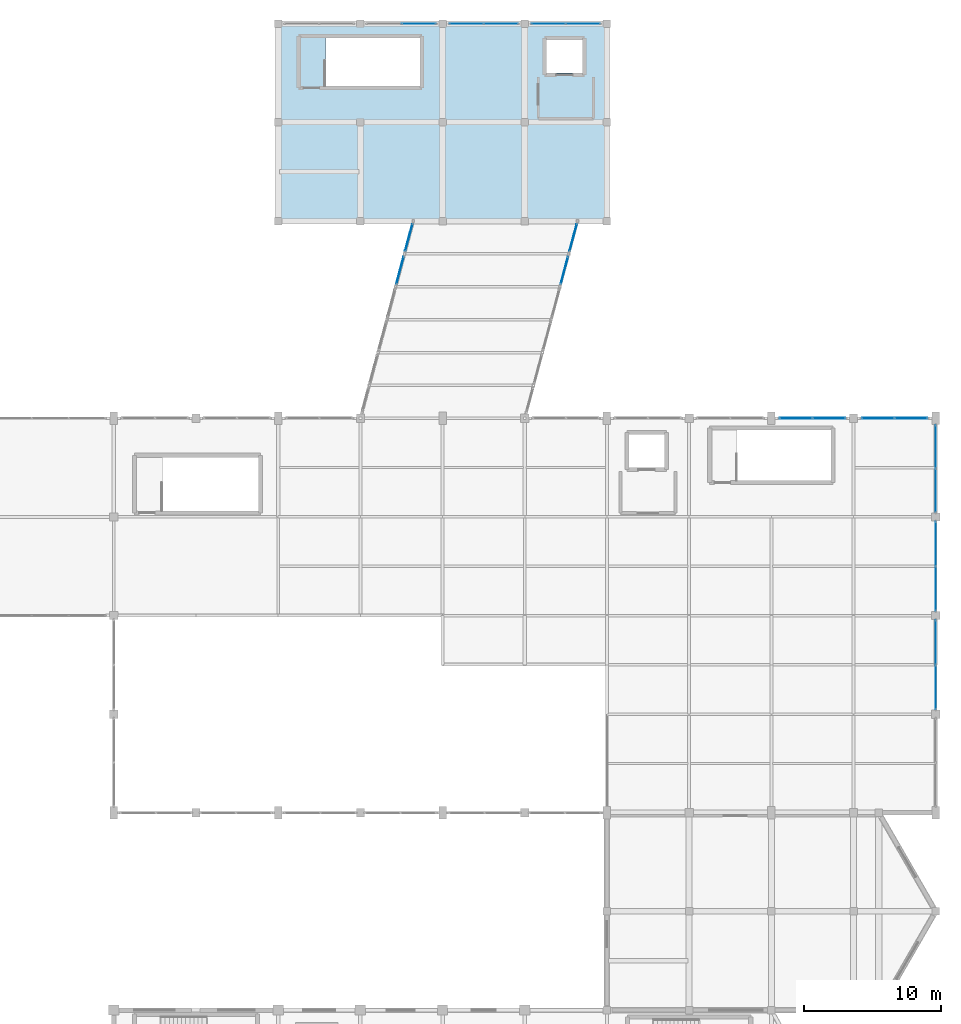
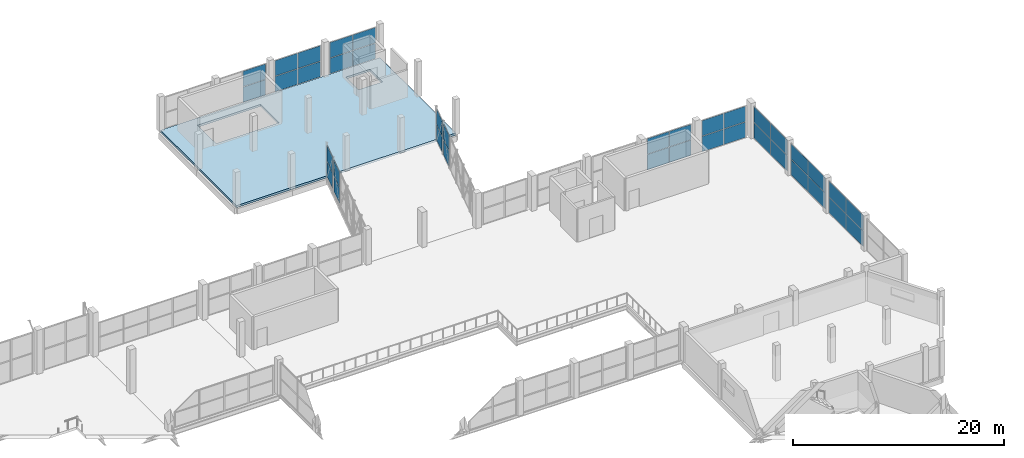
# One storey, part 99 of 127: 38 plates, 1 slab, 12 elements without a shape of their own.
"""IFC4 building model written with IfcOpenShell, lengths in metres."""

import ifcopenshell
import ifcopenshell.guid

model = None  # the IFC model being written
_history = None  # IfcOwnerHistory: only IFC2X3 demands one
_inside = {}  # id of a spatial element -> (the spatial element, [elements in it])
_under = {}  # id of a project, library or spatial element -> (it, [spatial elements below it])
_declared = {}  # id of a project -> (the project, [libraries it declares])
_typed = {}  # id of a type object -> (the type object, [elements of that type])
_made_of = {}  # id of a material, layer set ... -> (it, [elements and type objects made of it])


def new_model(schema):
    """Start an empty IFC model of exactly this schema.

    Asked for "IFC4X3", IfcOpenShell would pick the latest addendum, in which some entities
    have other attributes; the version numbers below select the first issue.
    IFC2X3 requires an IfcOwnerHistory on every rooted entity: one is made here for all.
    """
    global model, _history
    if schema == "IFC4X3":
        model = ifcopenshell.file(schema_version=(4, 3, 0, 0))
    else:
        model = ifcopenshell.file(schema=schema)
    _inside.clear()
    _under.clear()
    _declared.clear()
    _typed.clear()
    _made_of.clear()
    _history = None
    if model.schema == "IFC2X3":
        org = make("IfcOrganization", Name="unknown")
        user = make(
            "IfcPersonAndOrganization",
            ThePerson=make("IfcPerson", FamilyName="unknown"),
            TheOrganization=org,
        )
        app = make(
            "IfcApplication",
            ApplicationDeveloper=org,
            Version="unknown",
            ApplicationFullName="unknown",
            ApplicationIdentifier="unknown",
        )
        _history = make(
            "IfcOwnerHistory",
            OwningUser=user,
            OwningApplication=app,
            ChangeAction="ADDED",
            CreationDate=0,
        )
    return model


def make(cls, **values):
    """One entity of the class cls with the attributes given. An attribute that is None is left unset."""
    return model.create_entity(
        cls, **{name: value for name, value in values.items() if value is not None}
    )


def rooted(cls, **values):
    """An entity with a GlobalId (a new one), such as an element, a storey or a relation."""
    return make(cls, GlobalId=ifcopenshell.guid.new(), OwnerHistory=_history, **values)


def si_unit(unit_type, name, prefix=None):
    """IfcSIUnit, for example si_unit("LENGTHUNIT", "METRE", prefix="MILLI")."""
    return make("IfcSIUnit", UnitType=unit_type, Prefix=prefix, Name=name)


def assignment(units):
    """IfcUnitAssignment: the units of a project."""
    return None if units is None else make("IfcUnitAssignment", Units=units)


def point(xyz):
    """IfcCartesianPoint."""
    return None if xyz is None else make("IfcCartesianPoint", Coordinates=xyz)


def direction(xyz):
    """IfcDirection."""
    return None if xyz is None else make("IfcDirection", DirectionRatios=xyz)


def frame(location, z_axis=None, x_axis=None):
    """IfcAxis2Placement3D, a coordinate frame: its origin and axes. An axis left out is left unset."""
    return make(
        "IfcAxis2Placement3D",
        Location=point(location),
        Axis=direction(z_axis),
        RefDirection=direction(x_axis),
    )


def frame_2d(location, x_axis=None):
    """IfcAxis2Placement2D, a coordinate frame in the plane: its origin and x axis."""
    return make(
        "IfcAxis2Placement2D", Location=point(location), RefDirection=direction(x_axis)
    )


def origin():
    """The frame at (0, 0, 0) with its axes left unset."""
    return frame((0.0, 0.0, 0.0))


def origin_2d():
    """The frame at (0, 0) in the plane with its x axis left unset."""
    return frame_2d((0.0, 0.0))


def place(relative_to, where):
    """IfcLocalPlacement: puts the frame where relative to a parent placement (None: the world)."""
    return make(
        "IfcLocalPlacement", PlacementRelTo=relative_to, RelativePlacement=where
    )


def context(
    kind, dimensions, precision=None, world=None, true_north=None, identifier=None
):
    """IfcGeometricRepresentationContext, for example the 3D "Model" context."""
    return make(
        "IfcGeometricRepresentationContext",
        ContextIdentifier=identifier,
        ContextType=kind,
        CoordinateSpaceDimension=dimensions,
        Precision=precision,
        WorldCoordinateSystem=world,
        TrueNorth=true_north,
    )


def subcontext(parent, identifier, kind, view, scale=None):
    """IfcGeometricRepresentationSubContext, for example "Body" below "Model"."""
    return make(
        "IfcGeometricRepresentationSubContext",
        ContextIdentifier=identifier,
        ContextType=kind,
        ParentContext=parent,
        TargetScale=scale,
        TargetView=view,
    )


def project(units=None, contexts=None):
    """IfcProject with its units and contexts."""
    return rooted(
        "IfcProject",
        Name="project",
        RepresentationContexts=contexts,
        UnitsInContext=assignment(units),
    )


def spatial(cls, under=None, at=None, **own):
    """A site, building, storey or space (cls), placed at a placement, below another one or the project."""
    s = rooted(cls, ObjectPlacement=at, **own)
    if under is not None:
        _under.setdefault(under.id(), (under, []))[1].append(s)
    return s


def polyline(points):
    """IfcPolyline through the points."""
    return make("IfcPolyline", Points=[point(p) for p in points])


def profile(cls, at=None, kind="AREA", **sizes):
    """A parametric profile (cls). Its sizes go by their IFC names, for example OverallWidth=200.0."""
    return make(cls, ProfileType=kind, Position=at, **sizes)


def rectangle(**sizes):
    """IfcRectangleProfileDef."""
    return profile("IfcRectangleProfileDef", **sizes)


def outline(outer, holes=None, kind="AREA"):
    """IfcArbitraryClosedProfileDef: a profile drawn as a closed curve; with holes, ...WithVoids."""
    if holes is None:
        return make("IfcArbitraryClosedProfileDef", ProfileType=kind, OuterCurve=outer)
    return make(
        "IfcArbitraryProfileDefWithVoids",
        ProfileType=kind,
        OuterCurve=outer,
        InnerCurves=holes,
    )


def extrude(swept, where, along, depth):
    """IfcExtrudedAreaSolid: the profile swept, set in the frame where, extruded along a direction by depth."""
    return make(
        "IfcExtrudedAreaSolid",
        SweptArea=swept,
        Position=where,
        ExtrudedDirection=direction(along),
        Depth=depth,
    )


def shape(context_of_items, identifier, shape_type, items):
    """IfcShapeRepresentation: the items that make up one representation, for example the "Body"."""
    return make(
        "IfcShapeRepresentation",
        ContextOfItems=context_of_items,
        RepresentationIdentifier=identifier,
        RepresentationType=shape_type,
        Items=items,
    )


def material(Name=None, Category=None):
    """IfcMaterial."""
    return make("IfcMaterial", Name=Name, Category=Category)


def layer(
    of_material, thickness, ventilated=None, Name=None, Category=None, Priority=None
):
    """IfcMaterialLayer: one layer of a wall or slab, of a material (None: an air gap)."""
    return make(
        "IfcMaterialLayer",
        Material=of_material,
        LayerThickness=thickness,
        IsVentilated=ventilated,
        Name=Name,
        Category=Category,
        Priority=Priority,
    )


def layer_set(layers, Name=None):
    """IfcMaterialLayerSet."""
    return make("IfcMaterialLayerSet", MaterialLayers=layers, LayerSetName=Name)


def made_of(thing, what):
    """Note that an element or type object is made of a material, layer set ...; save() writes the relation."""
    if what is not None:
        _made_of.setdefault(what.id(), (what, []))[1].append(thing)
    return thing


def type_object(cls, material=None, **own):
    """A type object (cls), such as IfcWallType, which elements share."""
    return made_of(rooted(cls, **own), material)


def element(
    cls,
    number,
    at=None,
    inside=None,
    cuts=None,
    type_object=None,
    material=None,
    context=None,
    identifier="Body",
    shape_type=None,
    held_by="IfcProductDefinitionShape",
    body=None,
    shapes=None,
    **own,
):
    """One element of the class cls, such as IfcWall. Its Tag is "e" and its number.

    at: its placement. inside: the storey or other place that contains it. cuts: it is an
    opening in that element (IfcRelVoidsElement). A single representation is given by context,
    identifier, shape_type and body (its items); several are given by shapes. held_by: the class
    of the entity that holds the representations. save() writes the other relations.
    """
    e = rooted(cls, Tag="e%d" % number, ObjectPlacement=at, **own)
    if body is not None:
        shapes = [shape(context, identifier, shape_type, body)]
    if shapes is not None:
        e.Representation = make(held_by, Representations=shapes)
    if inside is not None:
        _inside.setdefault(inside.id(), (inside, []))[1].append(e)
    if cuts is not None:
        rooted(
            "IfcRelVoidsElement", RelatingBuildingElement=cuts, RelatedOpeningElement=e
        )
    if type_object is not None:
        _typed.setdefault(type_object.id(), (type_object, []))[1].append(e)
    return made_of(e, material)


def aggregate(whole, parts):
    """IfcRelAggregates: a whole, such as a stair, and the parts it consists of."""
    return rooted("IfcRelAggregates", RelatingObject=whole, RelatedObjects=parts)


def save(model, path):
    """Write the relations noted so far, then the file.

    IfcRelAggregates (storeys below a building ...), IfcRelContainedInSpatialStructure (elements
    in a storey), IfcRelDefinesByType, IfcRelAssociatesMaterial and IfcRelDeclares: one each for
    every whole, place, type object, material and project.
    """
    for whole, parts in _under.values():
        aggregate(whole, parts)
    for where, things in _inside.values():
        rooted(
            "IfcRelContainedInSpatialStructure",
            RelatedElements=things,
            RelatingStructure=where,
        )
    for kind, things in _typed.values():
        rooted("IfcRelDefinesByType", RelatedObjects=things, RelatingType=kind)
    for what, things in _made_of.values():
        rooted("IfcRelAssociatesMaterial", RelatedObjects=things, RelatingMaterial=what)
    for by, libraries in _declared.values():
        rooted("IfcRelDeclares", RelatingContext=by, RelatedDefinitions=libraries)
    model.write(path)


model = new_model("IFC4")

# Units and contexts
model_context = context("Model", 3, precision=1e-05, world=origin(), true_north=direction((0.0, 1.0)))
body_context = subcontext(model_context, "Body", "Model", "MODEL_VIEW")
ifc_project = project(units=[si_unit("LENGTHUNIT", "METRE"), si_unit("AREAUNIT", "SQUARE_METRE"), si_unit("VOLUMEUNIT", "CUBIC_METRE"), si_unit("PLANEANGLEUNIT", "RADIAN"), si_unit("MASSUNIT", "GRAM", prefix="KILO")], contexts=[model_context])

# Site, building, storey
site_placement = place(None, origin())
site = spatial("IfcSite", under=ifc_project, at=site_placement, CompositionType="ELEMENT")
building_placement = place(site_placement, origin())
building = spatial("IfcBuilding", under=site, at=building_placement, Name="Dunvalen Ferry Terminal", CompositionType="ELEMENT")
storey_placement = place(building_placement, frame((0.0, 0.0, 5.760009765625)))
storey = spatial("IfcBuildingStorey", under=building, at=storey_placement, Name="L01", CompositionType="ELEMENT", Elevation=5.760009765625)

# Curtain wall, plates
ifc_material_1 = material(Name="Anodised marine aluminium and solar-control glazing", Category="aluminium")
ifc_layer_1 = layer(ifc_material_1, 0.219970703125, Name="Anodised marine aluminium and solar-control glazing")
ifc_layer_set_1 = layer_set([ifc_layer_1], Name="Anodised marine aluminium and solar-control glazing")
curtain_wall_type_1 = type_object("IfcCurtainWallType", Name="ENV-CW-SYS-04", PredefinedType="NOTDEFINED", material=ifc_layer_set_1)
curtain_wall_1_placement = place(storey_placement, origin())
curtain_wall_1 = element("IfcCurtainWall", 1, at=curtain_wall_1_placement, inside=storey, type_object=curtain_wall_type_1, Name="L01 Curtain Wall CW-V2E-L01-2", PredefinedType="NOTDEFINED")
ifc_material_2 = material(Name="Low-E solar-control laminated double glazing", Category="glass")
ifc_layer_2 = layer(ifc_material_2, 0.031982421875, Name="Low-E solar-control laminated double glazing")
ifc_layer_set_2 = layer_set([ifc_layer_2], Name="Low-E solar-control laminated double glazing")
plate_type_1 = type_object("IfcPlateType", Name="ENV-CW-PNL-2", PredefinedType="CURTAIN_PANEL", material=ifc_layer_set_2)
plate_1_placement = place(storey_placement, frame((168.0, 66.764892578125, 0.080078125), z_axis=(0.0, 0.0, 1.0), x_axis=(0.0, 1.0, 0.0)))
plate_1 = element("IfcPlate", 2, at=plate_1_placement, type_object=plate_type_1, Name="CW-04 panel 1.1", PredefinedType="CURTAIN_PANEL", context=body_context, shape_type="SweptSolid", body=[
    extrude(rectangle(XDim=3.2099609375, YDim=0.031982421875, at=origin_2d()), origin(), (0.0, 0.0, 1.0), 1.780029296875),
])
plate_2_placement = place(storey_placement, frame((168.0, 66.764892578125, 1.919921875), z_axis=(0.0, 0.0, 1.0), x_axis=(0.0, 1.0, 0.0)))
plate_2 = element("IfcPlate", 3, at=plate_2_placement, type_object=plate_type_1, Name="CW-04 panel 1.2", PredefinedType="CURTAIN_PANEL", context=body_context, shape_type="SweptSolid", body=[
    extrude(rectangle(XDim=3.2099609375, YDim=0.031982421875, at=origin_2d()), origin(), (0.0, 0.0, 1.0), 1.780029296875),
])
plate_3_placement = place(storey_placement, frame((168.0, 70.034912109375, 0.080078125), z_axis=(0.0, 0.0, 1.0), x_axis=(0.0, 1.0, 0.0)))
plate_3 = element("IfcPlate", 4, at=plate_3_placement, type_object=plate_type_1, Name="CW-04 panel 2.1", PredefinedType="CURTAIN_PANEL", context=body_context, shape_type="SweptSolid", body=[
    extrude(rectangle(XDim=3.2099609375, YDim=0.031982421875, at=origin_2d()), origin(), (0.0, 0.0, 1.0), 1.780029296875),
])
plate_4_placement = place(storey_placement, frame((168.0, 70.034912109375, 1.919921875), z_axis=(0.0, 0.0, 1.0), x_axis=(0.0, 1.0, 0.0)))
plate_4 = element("IfcPlate", 5, at=plate_4_placement, type_object=plate_type_1, Name="CW-04 panel 2.2", PredefinedType="CURTAIN_PANEL", context=body_context, shape_type="SweptSolid", body=[
    extrude(rectangle(XDim=3.2099609375, YDim=0.031982421875, at=origin_2d()), origin(), (0.0, 0.0, 1.0), 1.780029296875),
])
aggregate(curtain_wall_1, [plate_1, plate_2, plate_3, plate_4])

curtain_wall_2_placement = place(storey_placement, origin())
curtain_wall_2 = element("IfcCurtainWall", 6, at=curtain_wall_2_placement, inside=storey, type_object=curtain_wall_type_1, Name="L01 Curtain Wall CW-V2E-L01-3", PredefinedType="NOTDEFINED")
plate_5_placement = place(storey_placement, frame((168.0, 73.965087890625, 0.080078125), z_axis=(0.0, 0.0, 1.0), x_axis=(0.0, 1.0, 0.0)))
plate_5 = element("IfcPlate", 7, at=plate_5_placement, type_object=plate_type_1, Name="CW-04 panel 1.1", PredefinedType="CURTAIN_PANEL", context=body_context, shape_type="SweptSolid", body=[
    extrude(rectangle(XDim=3.2099609375, YDim=0.031982421875, at=origin_2d()), origin(), (0.0, 0.0, 1.0), 1.780029296875),
])
plate_6_placement = place(storey_placement, frame((168.0, 73.965087890625, 1.919921875), z_axis=(0.0, 0.0, 1.0), x_axis=(0.0, 1.0, 0.0)))
plate_6 = element("IfcPlate", 8, at=plate_6_placement, type_object=plate_type_1, Name="CW-04 panel 1.2", PredefinedType="CURTAIN_PANEL", context=body_context, shape_type="SweptSolid", body=[
    extrude(rectangle(XDim=3.2099609375, YDim=0.031982421875, at=origin_2d()), origin(), (0.0, 0.0, 1.0), 1.780029296875),
])
plate_7_placement = place(storey_placement, frame((168.0, 77.235107421875, 0.080078125), z_axis=(0.0, 0.0, 1.0), x_axis=(0.0, 1.0, 0.0)))
plate_7 = element("IfcPlate", 9, at=plate_7_placement, type_object=plate_type_1, Name="CW-04 panel 2.1", PredefinedType="CURTAIN_PANEL", context=body_context, shape_type="SweptSolid", body=[
    extrude(rectangle(XDim=3.2099609375, YDim=0.031982421875, at=origin_2d()), origin(), (0.0, 0.0, 1.0), 1.780029296875),
])
plate_8_placement = place(storey_placement, frame((168.0, 77.235107421875, 1.919921875), z_axis=(0.0, 0.0, 1.0), x_axis=(0.0, 1.0, 0.0)))
plate_8 = element("IfcPlate", 10, at=plate_8_placement, type_object=plate_type_1, Name="CW-04 panel 2.2", PredefinedType="CURTAIN_PANEL", context=body_context, shape_type="SweptSolid", body=[
    extrude(rectangle(XDim=3.2099609375, YDim=0.031982421875, at=origin_2d()), origin(), (0.0, 0.0, 1.0), 1.780029296875),
])
aggregate(curtain_wall_2, [plate_5, plate_6, plate_7, plate_8])

curtain_wall_3_placement = place(storey_placement, origin())
curtain_wall_3 = element("IfcCurtainWall", 11, at=curtain_wall_3_placement, inside=storey, type_object=curtain_wall_type_1, Name="L01 Curtain Wall CW-V2E-L01-4", PredefinedType="NOTDEFINED")
plate_9_placement = place(storey_placement, frame((168.0, 81.12744140625, 0.080078125), z_axis=(0.0, 0.0, 1.0), x_axis=(0.0, 1.0, 0.0)))
plate_9 = element("IfcPlate", 12, at=plate_9_placement, type_object=plate_type_1, Name="CW-04 panel 1.1", PredefinedType="CURTAIN_PANEL", context=body_context, shape_type="SweptSolid", body=[
    extrude(rectangle(XDim=3.135009765625, YDim=0.031982421875, at=origin_2d()), origin(), (0.0, 0.0, 1.0), 1.780029296875),
])
plate_10_placement = place(storey_placement, frame((168.0, 81.12744140625, 1.919921875), z_axis=(0.0, 0.0, 1.0), x_axis=(0.0, 1.0, 0.0)))
plate_10 = element("IfcPlate", 13, at=plate_10_placement, type_object=plate_type_1, Name="CW-04 panel 1.2", PredefinedType="CURTAIN_PANEL", context=body_context, shape_type="SweptSolid", body=[
    extrude(rectangle(XDim=3.135009765625, YDim=0.031982421875, at=origin_2d()), origin(), (0.0, 0.0, 1.0), 1.780029296875),
])
plate_11_placement = place(storey_placement, frame((168.0, 84.322509765625, 0.080078125), z_axis=(0.0, 0.0, 1.0), x_axis=(0.0, 1.0, 0.0)))
plate_11 = element("IfcPlate", 14, at=plate_11_placement, type_object=plate_type_1, Name="CW-04 panel 2.1", PredefinedType="CURTAIN_PANEL", context=body_context, shape_type="SweptSolid", body=[
    extrude(rectangle(XDim=3.135009765625, YDim=0.031982421875, at=origin_2d()), origin(), (0.0, 0.0, 1.0), 1.780029296875),
])
plate_12_placement = place(storey_placement, frame((168.0, 84.322509765625, 1.919921875), z_axis=(0.0, 0.0, 1.0), x_axis=(0.0, 1.0, 0.0)))
plate_12 = element("IfcPlate", 15, at=plate_12_placement, type_object=plate_type_1, Name="CW-04 panel 2.2", PredefinedType="CURTAIN_PANEL", context=body_context, shape_type="SweptSolid", body=[
    extrude(rectangle(XDim=3.135009765625, YDim=0.031982421875, at=origin_2d()), origin(), (0.0, 0.0, 1.0), 1.780029296875),
])
aggregate(curtain_wall_3, [plate_9, plate_10, plate_11, plate_12])

ifc_layer_3 = layer(ifc_material_1, 0.159912109375, Name="Anodised marine aluminium and solar-control glazing")
ifc_layer_set_3 = layer_set([ifc_layer_3], Name="Anodised marine aluminium and solar-control glazing")
curtain_wall_type_2 = type_object("IfcCurtainWallType", Name="ENV-CW-SYS-08", PredefinedType="NOTDEFINED", material=ifc_layer_set_3)
curtain_wall_4_placement = place(storey_placement, origin())
curtain_wall_4 = element("IfcCurtainWall", 16, at=curtain_wall_4_placement, inside=storey, type_object=curtain_wall_type_2, Name="L01 Curtain Wall CW-BRT2-N-L01-2", PredefinedType="NOTDEFINED")
plate_13_placement = place(storey_placement, frame((130.260009765625, 115.199951171875, 0.06005859375), z_axis=(0.0, 0.0, 1.0), x_axis=(1.0, 0.0, 0.0)))
plate_13 = element("IfcPlate", 17, at=plate_13_placement, type_object=plate_type_1, Name="CW-08 panel 2.1", PredefinedType="CURTAIN_PANEL", context=body_context, shape_type="SweptSolid", body=[
    extrude(rectangle(XDim=2.4599609375, YDim=0.031982421875, at=origin_2d()), origin(), (0.0, 0.0, 1.0), 1.77001953125),
])
plate_14_placement = place(storey_placement, frame((130.260009765625, 115.199951171875, 1.889892578125), z_axis=(0.0, 0.0, 1.0), x_axis=(1.0, 0.0, 0.0)))
plate_14 = element("IfcPlate", 18, at=plate_14_placement, type_object=plate_type_1, Name="CW-08 panel 2.2", PredefinedType="CURTAIN_PANEL", context=body_context, shape_type="SweptSolid", body=[
    extrude(rectangle(XDim=2.4599609375, YDim=0.031982421875, at=origin_2d()), origin(), (0.0, 0.0, 1.0), 1.77001953125),
])
aggregate(curtain_wall_4, [plate_13, plate_14])

curtain_wall_5_placement = place(storey_placement, origin())
curtain_wall_5 = element("IfcCurtainWall", 19, at=curtain_wall_5_placement, inside=storey, type_object=curtain_wall_type_2, Name="L01 Curtain Wall CW-BRT2-N-L01-3", PredefinedType="NOTDEFINED")
plate_15_placement = place(storey_placement, frame((133.739990234375, 115.199951171875, 0.06005859375), z_axis=(0.0, 0.0, 1.0), x_axis=(1.0, 0.0, 0.0)))
plate_15 = element("IfcPlate", 20, at=plate_15_placement, type_object=plate_type_1, Name="CW-08 panel 1.1", PredefinedType="CURTAIN_PANEL", context=body_context, shape_type="SweptSolid", body=[
    extrude(rectangle(XDim=2.4599609375, YDim=0.031982421875, at=origin_2d()), origin(), (0.0, 0.0, 1.0), 1.77001953125),
])
plate_16_placement = place(storey_placement, frame((133.739990234375, 115.199951171875, 1.889892578125), z_axis=(0.0, 0.0, 1.0), x_axis=(1.0, 0.0, 0.0)))
plate_16 = element("IfcPlate", 21, at=plate_16_placement, type_object=plate_type_1, Name="CW-08 panel 1.2", PredefinedType="CURTAIN_PANEL", context=body_context, shape_type="SweptSolid", body=[
    extrude(rectangle(XDim=2.4599609375, YDim=0.031982421875, at=origin_2d()), origin(), (0.0, 0.0, 1.0), 1.77001953125),
])
plate_17_placement = place(storey_placement, frame((136.260009765625, 115.199951171875, 0.06005859375), z_axis=(0.0, 0.0, 1.0), x_axis=(1.0, 0.0, 0.0)))
plate_17 = element("IfcPlate", 22, at=plate_17_placement, type_object=plate_type_1, Name="CW-08 panel 2.1", PredefinedType="CURTAIN_PANEL", context=body_context, shape_type="SweptSolid", body=[
    extrude(rectangle(XDim=2.4599609375, YDim=0.031982421875, at=origin_2d()), origin(), (0.0, 0.0, 1.0), 1.77001953125),
])
plate_18_placement = place(storey_placement, frame((136.260009765625, 115.199951171875, 1.889892578125), z_axis=(0.0, 0.0, 1.0), x_axis=(1.0, 0.0, 0.0)))
plate_18 = element("IfcPlate", 23, at=plate_18_placement, type_object=plate_type_1, Name="CW-08 panel 2.2", PredefinedType="CURTAIN_PANEL", context=body_context, shape_type="SweptSolid", body=[
    extrude(rectangle(XDim=2.4599609375, YDim=0.031982421875, at=origin_2d()), origin(), (0.0, 0.0, 1.0), 1.77001953125),
])
aggregate(curtain_wall_5, [plate_15, plate_16, plate_17, plate_18])

curtain_wall_6_placement = place(storey_placement, origin())
curtain_wall_6 = element("IfcCurtainWall", 24, at=curtain_wall_6_placement, inside=storey, type_object=curtain_wall_type_2, Name="L01 Curtain Wall CW-BRT2-N-L01-4", PredefinedType="NOTDEFINED")
plate_19_placement = place(storey_placement, frame((139.739990234375, 115.199951171875, 0.06005859375), z_axis=(0.0, 0.0, 1.0), x_axis=(1.0, 0.0, 0.0)))
plate_19 = element("IfcPlate", 25, at=plate_19_placement, type_object=plate_type_1, Name="CW-08 panel 1.1", PredefinedType="CURTAIN_PANEL", context=body_context, shape_type="SweptSolid", body=[
    extrude(rectangle(XDim=2.4599609375, YDim=0.031982421875, at=origin_2d()), origin(), (0.0, 0.0, 1.0), 1.77001953125),
])
plate_20_placement = place(storey_placement, frame((139.739990234375, 115.199951171875, 1.889892578125), z_axis=(0.0, 0.0, 1.0), x_axis=(1.0, 0.0, 0.0)))
plate_20 = element("IfcPlate", 26, at=plate_20_placement, type_object=plate_type_1, Name="CW-08 panel 1.2", PredefinedType="CURTAIN_PANEL", context=body_context, shape_type="SweptSolid", body=[
    extrude(rectangle(XDim=2.4599609375, YDim=0.031982421875, at=origin_2d()), origin(), (0.0, 0.0, 1.0), 1.77001953125),
])
plate_21_placement = place(storey_placement, frame((142.260009765625, 115.199951171875, 0.06005859375), z_axis=(0.0, 0.0, 1.0), x_axis=(1.0, 0.0, 0.0)))
plate_21 = element("IfcPlate", 27, at=plate_21_placement, type_object=plate_type_1, Name="CW-08 panel 2.1", PredefinedType="CURTAIN_PANEL", context=body_context, shape_type="SweptSolid", body=[
    extrude(rectangle(XDim=2.4599609375, YDim=0.031982421875, at=origin_2d()), origin(), (0.0, 0.0, 1.0), 1.77001953125),
])
plate_22_placement = place(storey_placement, frame((142.260009765625, 115.199951171875, 1.889892578125), z_axis=(0.0, 0.0, 1.0), x_axis=(1.0, 0.0, 0.0)))
plate_22 = element("IfcPlate", 28, at=plate_22_placement, type_object=plate_type_1, Name="CW-08 panel 2.2", PredefinedType="CURTAIN_PANEL", context=body_context, shape_type="SweptSolid", body=[
    extrude(rectangle(XDim=2.4599609375, YDim=0.031982421875, at=origin_2d()), origin(), (0.0, 0.0, 1.0), 1.77001953125),
])
aggregate(curtain_wall_6, [plate_19, plate_20, plate_21, plate_22])

ifc_layer_4 = layer(ifc_material_1, 0.159912109375, Name="Anodised marine aluminium and solar-control glazing")
ifc_layer_set_4 = layer_set([ifc_layer_4], Name="Anodised marine aluminium and solar-control glazing")
curtain_wall_type_3 = type_object("IfcCurtainWallType", Name="ENV-CW-SYS-07", PredefinedType="NOTDEFINED", material=ifc_layer_set_4)
curtain_wall_7_placement = place(storey_placement, origin())
curtain_wall_7 = element("IfcCurtainWall", 29, at=curtain_wall_7_placement, inside=storey, type_object=curtain_wall_type_3, Name="L01 Curtain Wall CW-BRG2-S1-5", PredefinedType="NOTDEFINED")
ifc_layer_5 = layer(ifc_material_2, 0.0439453125, Name="Low-E solar-control laminated double glazing")
ifc_layer_set_5 = layer_set([ifc_layer_5], Name="Low-E solar-control laminated double glazing")
plate_type_2 = type_object("IfcPlateType", Name="ENV-CW-PNL-5", PredefinedType="CURTAIN_PANEL", material=ifc_layer_set_5)
plate_23_placement = place(storey_placement, frame((128.893798828125, 97.199951171875, 0.06005859375), z_axis=(0.0, 0.0, 1.0), x_axis=(0.258830090561, 0.9659228666, 0.0)))
plate_23 = element("IfcPlate", 30, at=plate_23_placement, type_object=plate_type_2, Name="CW-07 panel 1.1", PredefinedType="CURTAIN_PANEL", context=body_context, shape_type="SweptSolid", body=[
    extrude(rectangle(XDim=2.0068359375, YDim=0.0439453125, at=origin_2d()), origin(), (0.0, 0.0, 1.0), 1.77001953125),
])
plate_24_placement = place(storey_placement, frame((128.893798828125, 97.199951171875, 1.889892578125), z_axis=(0.0, 0.0, 1.0), x_axis=(0.258830090561, 0.9659228666, 0.0)))
plate_24 = element("IfcPlate", 31, at=plate_24_placement, type_object=plate_type_2, Name="CW-07 panel 1.2", PredefinedType="CURTAIN_PANEL", context=body_context, shape_type="SweptSolid", body=[
    extrude(rectangle(XDim=2.0068359375, YDim=0.0439453125, at=origin_2d()), origin(), (0.0, 0.0, 1.0), 1.77001953125),
])
aggregate(curtain_wall_7, [plate_23, plate_24])

curtain_wall_8_placement = place(storey_placement, origin())
curtain_wall_8 = element("IfcCurtainWall", 32, at=curtain_wall_8_placement, inside=storey, type_object=curtain_wall_type_3, Name="L01 Curtain Wall CW-BRG2-S1-6", PredefinedType="NOTDEFINED")
plate_25_placement = place(storey_placement, frame((129.536865234375, 99.60009765625, 0.06005859375), z_axis=(0.0, 0.0, 1.0), x_axis=(0.258830090561, 0.9659228666, 0.0)))
plate_25 = element("IfcPlate", 33, at=plate_25_placement, type_object=plate_type_2, Name="CW-07 panel 1.1", PredefinedType="CURTAIN_PANEL", context=body_context, shape_type="SweptSolid", body=[
    extrude(rectangle(XDim=2.0068359375, YDim=0.0439453125, at=origin_2d()), origin(), (0.0, 0.0, 1.0), 1.77001953125),
])
plate_26_placement = place(storey_placement, frame((129.536865234375, 99.60009765625, 1.889892578125), z_axis=(0.0, 0.0, 1.0), x_axis=(0.258830090561, 0.9659228666, 0.0)))
plate_26 = element("IfcPlate", 34, at=plate_26_placement, type_object=plate_type_2, Name="CW-07 panel 1.2", PredefinedType="CURTAIN_PANEL", context=body_context, shape_type="SweptSolid", body=[
    extrude(rectangle(XDim=2.0068359375, YDim=0.0439453125, at=origin_2d()), origin(), (0.0, 0.0, 1.0), 1.77001953125),
])
aggregate(curtain_wall_8, [plate_25, plate_26])

curtain_wall_9_placement = place(storey_placement, origin())
curtain_wall_9 = element("IfcCurtainWall", 35, at=curtain_wall_9_placement, inside=storey, type_object=curtain_wall_type_3, Name="L01 Curtain Wall CW-BRG2-S2-5", PredefinedType="NOTDEFINED")
plate_27_placement = place(storey_placement, frame((140.893798828125, 97.199951171875, 0.06005859375), z_axis=(0.0, 0.0, 1.0), x_axis=(0.258830090561, 0.9659228666, 0.0)))
plate_27 = element("IfcPlate", 36, at=plate_27_placement, type_object=plate_type_2, Name="CW-07 panel 1.1", PredefinedType="CURTAIN_PANEL", context=body_context, shape_type="SweptSolid", body=[
    extrude(rectangle(XDim=2.0068359375, YDim=0.0439453125, at=origin_2d()), origin(), (0.0, 0.0, 1.0), 1.77001953125),
])
plate_28_placement = place(storey_placement, frame((140.893798828125, 97.199951171875, 1.889892578125), z_axis=(0.0, 0.0, 1.0), x_axis=(0.258830090561, 0.9659228666, 0.0)))
plate_28 = element("IfcPlate", 37, at=plate_28_placement, type_object=plate_type_2, Name="CW-07 panel 1.2", PredefinedType="CURTAIN_PANEL", context=body_context, shape_type="SweptSolid", body=[
    extrude(rectangle(XDim=2.0068359375, YDim=0.0439453125, at=origin_2d()), origin(), (0.0, 0.0, 1.0), 1.77001953125),
])
aggregate(curtain_wall_9, [plate_27, plate_28])

curtain_wall_10_placement = place(storey_placement, origin())
curtain_wall_10 = element("IfcCurtainWall", 38, at=curtain_wall_10_placement, inside=storey, type_object=curtain_wall_type_3, Name="L01 Curtain Wall CW-BRG2-S2-6", PredefinedType="NOTDEFINED")
plate_29_placement = place(storey_placement, frame((141.536865234375, 99.60009765625, 0.06005859375), z_axis=(0.0, 0.0, 1.0), x_axis=(0.258830090561, 0.9659228666, 0.0)))
plate_29 = element("IfcPlate", 39, at=plate_29_placement, type_object=plate_type_2, Name="CW-07 panel 1.1", PredefinedType="CURTAIN_PANEL", context=body_context, shape_type="SweptSolid", body=[
    extrude(rectangle(XDim=2.0068359375, YDim=0.0439453125, at=origin_2d()), origin(), (0.0, 0.0, 1.0), 1.77001953125),
])
plate_30_placement = place(storey_placement, frame((141.536865234375, 99.60009765625, 1.889892578125), z_axis=(0.0, 0.0, 1.0), x_axis=(0.258830090561, 0.9659228666, 0.0)))
plate_30 = element("IfcPlate", 40, at=plate_30_placement, type_object=plate_type_2, Name="CW-07 panel 1.2", PredefinedType="CURTAIN_PANEL", context=body_context, shape_type="SweptSolid", body=[
    extrude(rectangle(XDim=2.0068359375, YDim=0.0439453125, at=origin_2d()), origin(), (0.0, 0.0, 1.0), 1.77001953125),
])
aggregate(curtain_wall_10, [plate_29, plate_30])

ifc_layer_6 = layer(ifc_material_1, 0.219970703125, Name="Anodised marine aluminium and solar-control glazing")
ifc_layer_set_6 = layer_set([ifc_layer_6], Name="Anodised marine aluminium and solar-control glazing")
curtain_wall_type_4 = type_object("IfcCurtainWallType", Name="ENV-CW-SYS-02", PredefinedType="NOTDEFINED", material=ifc_layer_set_6)
curtain_wall_11_placement = place(storey_placement, origin())
curtain_wall_11 = element("IfcCurtainWall", 41, at=curtain_wall_11_placement, inside=storey, type_object=curtain_wall_type_4, Name="L01 Curtain Wall CW-V2N-L01-09", PredefinedType="NOTDEFINED")
ifc_layer_7 = layer(ifc_material_2, 0.048095703125, Name="Low-E solar-control laminated double glazing")
ifc_layer_set_7 = layer_set([ifc_layer_7], Name="Low-E solar-control laminated double glazing")
plate_type_3 = type_object("IfcPlateType", Name="ENV-CW-PNL-6", PredefinedType="CURTAIN_PANEL", material=ifc_layer_set_7)
plate_31_placement = place(storey_placement, frame((157.794921875, 86.39990234375, 0.06005859375), z_axis=(0.0, 0.0, 1.0), x_axis=(1.0, 0.0, 0.0)))
plate_31 = element("IfcPlate", 42, at=plate_31_placement, type_object=plate_type_3, Name="CW-02 panel 1.1", PredefinedType="CURTAIN_PANEL", context=body_context, shape_type="SweptSolid", body=[
    extrude(rectangle(XDim=2.35009765625, YDim=0.048095703125, at=origin_2d()), origin(), (0.0, 0.0, 1.0), 1.77001953125),
])
plate_32_placement = place(storey_placement, frame((157.794921875, 86.39990234375, 1.889892578125), z_axis=(0.0, 0.0, 1.0), x_axis=(1.0, 0.0, 0.0)))
plate_32 = element("IfcPlate", 43, at=plate_32_placement, type_object=plate_type_3, Name="CW-02 panel 1.2", PredefinedType="CURTAIN_PANEL", context=body_context, shape_type="SweptSolid", body=[
    extrude(rectangle(XDim=2.35009765625, YDim=0.048095703125, at=origin_2d()), origin(), (0.0, 0.0, 1.0), 1.77001953125),
])
plate_33_placement = place(storey_placement, frame((160.205078125, 86.39990234375, 0.06005859375), z_axis=(0.0, 0.0, 1.0), x_axis=(1.0, 0.0, 0.0)))
plate_33 = element("IfcPlate", 44, at=plate_33_placement, type_object=plate_type_3, Name="CW-02 panel 2.1", PredefinedType="CURTAIN_PANEL", context=body_context, shape_type="SweptSolid", body=[
    extrude(rectangle(XDim=2.35009765625, YDim=0.048095703125, at=origin_2d()), origin(), (0.0, 0.0, 1.0), 1.77001953125),
])
plate_34_placement = place(storey_placement, frame((160.205078125, 86.39990234375, 1.889892578125), z_axis=(0.0, 0.0, 1.0), x_axis=(1.0, 0.0, 0.0)))
plate_34 = element("IfcPlate", 45, at=plate_34_placement, type_object=plate_type_3, Name="CW-02 panel 2.2", PredefinedType="CURTAIN_PANEL", context=body_context, shape_type="SweptSolid", body=[
    extrude(rectangle(XDim=2.35009765625, YDim=0.048095703125, at=origin_2d()), origin(), (0.0, 0.0, 1.0), 1.77001953125),
])
aggregate(curtain_wall_11, [plate_31, plate_32, plate_33, plate_34])

curtain_wall_12_placement = place(storey_placement, origin())
curtain_wall_12 = element("IfcCurtainWall", 46, at=curtain_wall_12_placement, inside=storey, type_object=curtain_wall_type_4, Name="L01 Curtain Wall CW-V2N-L01-10", PredefinedType="NOTDEFINED")
plate_35_placement = place(storey_placement, frame((163.794921875, 86.39990234375, 0.06005859375), z_axis=(0.0, 0.0, 1.0), x_axis=(1.0, 0.0, 0.0)))
plate_35 = element("IfcPlate", 47, at=plate_35_placement, type_object=plate_type_3, Name="CW-02 panel 1.1", PredefinedType="CURTAIN_PANEL", context=body_context, shape_type="SweptSolid", body=[
    extrude(rectangle(XDim=2.35009765625, YDim=0.048095703125, at=origin_2d()), origin(), (0.0, 0.0, 1.0), 1.77001953125),
])
plate_36_placement = place(storey_placement, frame((163.794921875, 86.39990234375, 1.889892578125), z_axis=(0.0, 0.0, 1.0), x_axis=(1.0, 0.0, 0.0)))
plate_36 = element("IfcPlate", 48, at=plate_36_placement, type_object=plate_type_3, Name="CW-02 panel 1.2", PredefinedType="CURTAIN_PANEL", context=body_context, shape_type="SweptSolid", body=[
    extrude(rectangle(XDim=2.35009765625, YDim=0.048095703125, at=origin_2d()), origin(), (0.0, 0.0, 1.0), 1.77001953125),
])
plate_37_placement = place(storey_placement, frame((166.205078125, 86.39990234375, 0.06005859375), z_axis=(0.0, 0.0, 1.0), x_axis=(1.0, 0.0, 0.0)))
plate_37 = element("IfcPlate", 49, at=plate_37_placement, type_object=plate_type_3, Name="CW-02 panel 2.1", PredefinedType="CURTAIN_PANEL", context=body_context, shape_type="SweptSolid", body=[
    extrude(rectangle(XDim=2.35009765625, YDim=0.048095703125, at=origin_2d()), origin(), (0.0, 0.0, 1.0), 1.77001953125),
])
plate_38_placement = place(storey_placement, frame((166.205078125, 86.39990234375, 1.889892578125), z_axis=(0.0, 0.0, 1.0), x_axis=(1.0, 0.0, 0.0)))
plate_38 = element("IfcPlate", 50, at=plate_38_placement, type_object=plate_type_3, Name="CW-02 panel 2.2", PredefinedType="CURTAIN_PANEL", context=body_context, shape_type="SweptSolid", body=[
    extrude(rectangle(XDim=2.35009765625, YDim=0.048095703125, at=origin_2d()), origin(), (0.0, 0.0, 1.0), 1.77001953125),
])
aggregate(curtain_wall_12, [plate_35, plate_36, plate_37, plate_38])

# Slab
ifc_material_3 = material(Name="Concrete C40/50", Category="concrete")
ifc_layer_8 = layer(ifc_material_3, 0.239990234375, Name="Concrete C40/50")
ifc_layer_set_8 = layer_set([ifc_layer_8], Name="Concrete C40/50")
slab_type = type_object("IfcSlabType", Name="STR-SLB-BRG240", PredefinedType="FLOOR", material=ifc_layer_set_8)
slab_placement = place(storey_placement, frame((0.0, 0.0, -0.239990234375)))
element("IfcSlab", 51, at=slab_placement, inside=storey, type_object=slab_type, Name="L01 Berth Pavilion 2 Hold Room Slab", PredefinedType="FLOOR", context=body_context, shape_type="SweptSolid", body=[
    extrude(outline(polyline([(120.0, 100.800048828125), (144.0, 100.800048828125), (144.0, 115.199951171875), (120.0, 115.199951171875), (120.0, 100.800048828125)]), holes=[polyline([(123.449951171875, 110.64990234375), (130.35009765625, 110.64990234375), (130.35009765625, 114.14990234375), (123.449951171875, 114.14990234375), (123.449951171875, 110.64990234375)]), polyline([(139.60009765625, 111.60009765625), (142.199951171875, 111.60009765625), (142.199951171875, 114.0), (139.60009765625, 114.0), (139.60009765625, 111.60009765625)])]), origin(), (0.0, 0.0, 1.0), 0.239990234375),
])

save(model, "model.ifc")
